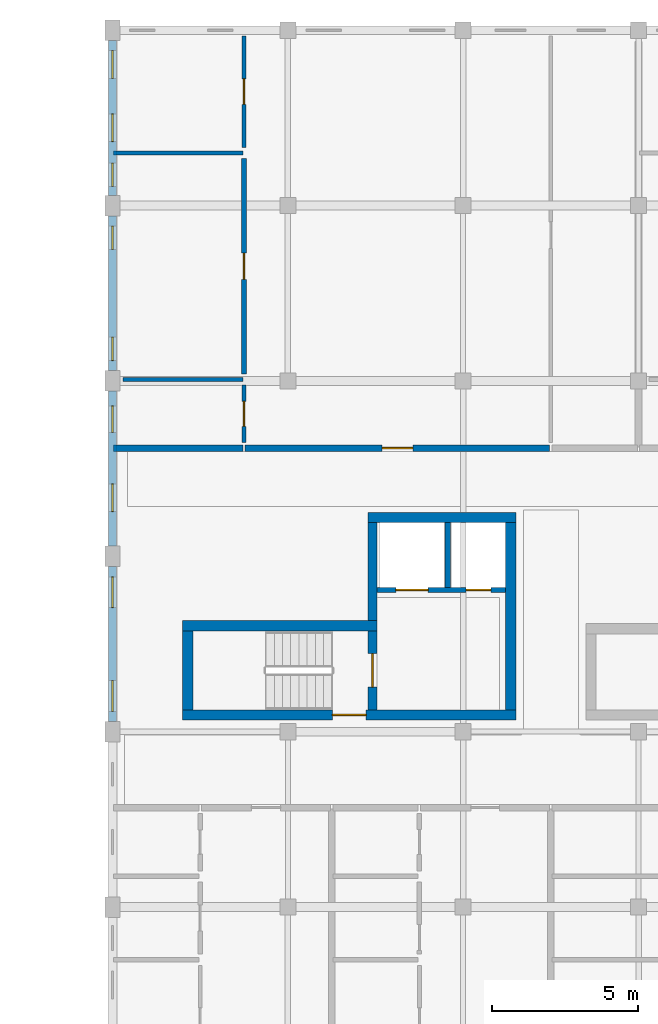
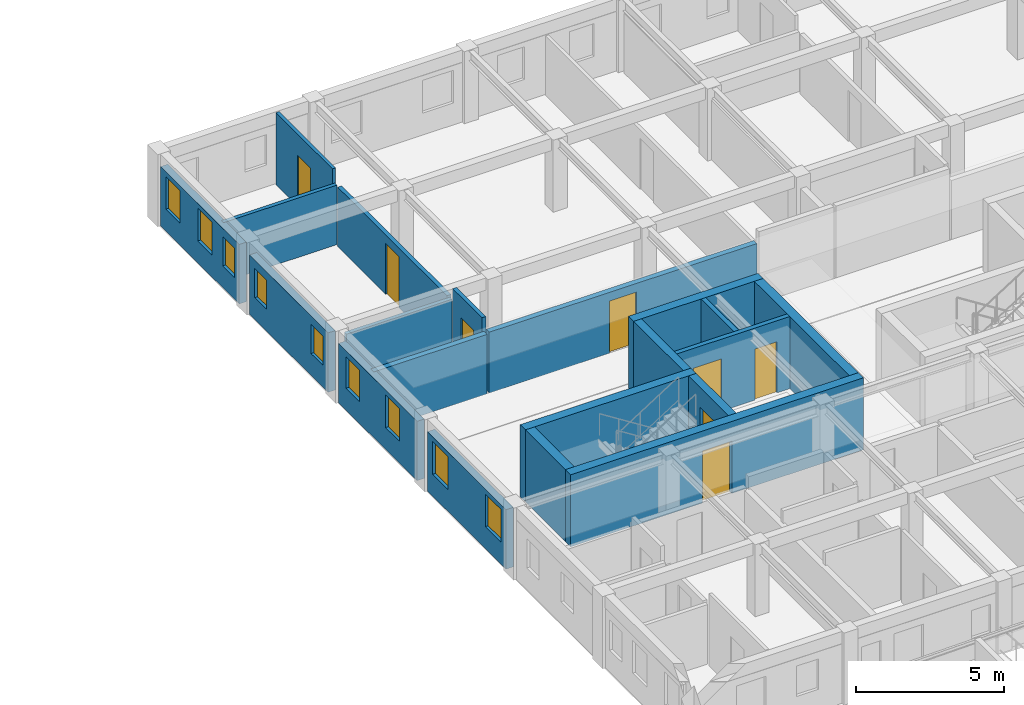
# One storey, part 69 of 101: 20 walls, 9 windows, 8 doors, 17 openings.
"""IFC4 building model written with IfcOpenShell, lengths in metres."""

from ifc_helpers import new_model, si_unit, direction, frame, frame_2d, origin, place, context, subcontext, project, spatial, rectangle, extrude, material, layer, layer_set, type_object, element, fill, save


model = new_model("IFC4")

# Units and contexts
model_context = context("Model", 3, precision=1e-05, world=origin(), true_north=direction((0.0, 1.0)))
body_context = subcontext(model_context, "Body", "Model", "MODEL_VIEW")
ifc_project = project(units=[si_unit("LENGTHUNIT", "METRE"), si_unit("AREAUNIT", "SQUARE_METRE"), si_unit("VOLUMEUNIT", "CUBIC_METRE"), si_unit("PLANEANGLEUNIT", "RADIAN"), si_unit("MASSUNIT", "GRAM", prefix="KILO"), si_unit("POWERUNIT", "WATT"), si_unit("THERMODYNAMICTEMPERATUREUNIT", "KELVIN")], contexts=[model_context])

# Site, building, storey
site_placement = place(None, origin())
site = spatial("IfcSite", under=ifc_project, at=site_placement, CompositionType="ELEMENT")
building_placement = place(site_placement, origin())
building = spatial("IfcBuilding", under=site, at=building_placement, Name="Ruvembo Vaulted Housing Court", CompositionType="ELEMENT")
storey_placement = place(building_placement, frame((0.0, 0.0, 17.300048828125)))
storey = spatial("IfcBuildingStorey", under=building, at=storey_placement, Name="L05", CompositionType="ELEMENT", Elevation=17.300048828125)

# Wall, opening, door
ifc_material_1 = material(Name="Concrete C35/45", Category="concrete")
ifc_layer_1 = layer(ifc_material_1, 0.300048828125, Name="Concrete C35/45")
ifc_layer_set_1 = layer_set([ifc_layer_1], Name="Concrete C35/45")
wall_type_1 = type_object("IfcWallType", Name="WL-CORE-300", PredefinedType="SHEAR", material=ifc_layer_set_1)
wall_1_placement = place(storey_placement, frame((56.89990234375, 90.75, 0.0), z_axis=(0.0, 0.0, 1.0), x_axis=(0.0, 1.0, 0.0)))
wall_1 = element("IfcWall", 1, at=wall_1_placement, inside=storey, type_object=wall_type_1, Name="Core B1 L05 Stair-Lobby Shear Wall", PredefinedType="SHEAR", context=body_context, shape_type="SweptSolid", body=[
    extrude(rectangle(XDim=2.699951171875, YDim=0.300048828125, at=frame_2d((1.35009765625, 0.0))), origin(), (0.0, 0.0, 1.0), 2.96484375),
])
opening_1_placement = place(wall_1_placement, frame((0.77490234375, 0.0, 0.0)))
opening_1 = element("IfcOpeningElement", 2, at=opening_1_placement, cuts=wall_1, Name="Opening SD1", PredefinedType="OPENING", context=body_context, shape_type="SweptSolid", body=[
    extrude(rectangle(XDim=1.14990234375, YDim=2.14990234375, at=frame_2d((0.574951171875, 1.074951171875))), frame((0.0, 0.159912109375, 0.0), z_axis=(0.0, -1.0, 0.0), x_axis=(1.0, 0.0, 0.0)), (0.0, 0.0, 1.0), 0.320068359375),
])
ifc_material_2 = material(Name="Galvanised Painted Steel", Category="steel")
door_type_1 = type_object("IfcDoorType", Name="DR-STAIR-1150x2150", OperationType="NOTDEFINED", PredefinedType="DOOR", material=ifc_material_2)
door_1_placement = place(opening_1_placement, origin())
door_1 = element("IfcDoor", 3, at=door_1_placement, inside=storey, type_object=door_type_1, Name="Stair ST-B1 L05 Fire Door", OperationType="SINGLE_SWING_RIGHT", OverallHeight=2.14990234375, OverallWidth=1.14990234375, PredefinedType="DOOR", context=body_context, shape_type="SweptSolid", body=[
    extrude(rectangle(XDim=1.14990234375, YDim=2.14990234375, at=frame_2d((0.574951171875, 1.074951171875))), frame((0.0, 0.02490234375, 0.0), z_axis=(0.0, -1.0, 0.0), x_axis=(1.0, 0.0, 0.0)), (0.0, 0.0, 1.0), 0.050048828125),
])
fill(opening_1, door_1)

# Wall
wall_2_placement = place(storey_placement, frame((56.89990234375, 93.800048828125, 0.0), z_axis=(0.0, 0.0, 1.0), x_axis=(0.0, 1.0, 0.0)))
element("IfcWall", 4, at=wall_2_placement, inside=storey, type_object=wall_type_1, Name="Core B1 L05 Upper West Shear Wall", PredefinedType="SHEAR", context=body_context, shape_type="SweptSolid", body=[
    extrude(rectangle(XDim=3.349853515625, YDim=0.300048828125, at=frame_2d((1.6748046875, 0.0))), origin(), (0.0, 0.0, 1.0), 2.96484375),
])

# Wall, opening, door
ifc_layer_2 = layer(ifc_material_1, 0.35009765625, Name="Concrete C35/45")
ifc_layer_set_2 = layer_set([ifc_layer_2], Name="Concrete C35/45")
wall_type_2 = type_object("IfcWallType", Name="WL-CORE-350", PredefinedType="SHEAR", material=ifc_layer_set_2)
wall_3_placement = place(storey_placement, frame((50.39990234375, 90.574951171875, 0.0), z_axis=(0.0, 0.0, 1.0), x_axis=(1.0, 0.0, 0.0)))
wall_3 = element("IfcWall", 5, at=wall_3_placement, inside=storey, type_object=wall_type_2, Name="Core B1 L05 South Shear Wall", PredefinedType="SHEAR", context=body_context, shape_type="SweptSolid", body=[
    extrude(rectangle(XDim=11.400146484375, YDim=0.35009765625, at=frame_2d((5.7001953125, 0.0))), origin(), (0.0, 0.0, 1.0), 2.96484375),
])
opening_2_placement = place(wall_3_placement, frame((5.125, 0.0, 0.0)))
opening_2 = element("IfcOpeningElement", 6, at=opening_2_placement, cuts=wall_3, Name="Opening LD0", PredefinedType="OPENING", context=body_context, shape_type="SweptSolid", body=[
    extrude(rectangle(XDim=1.14990234375, YDim=2.14990234375, at=frame_2d((0.574951171875, 1.074951171875))), frame((0.0, 0.18505859375, 0.0), z_axis=(0.0, -1.0, 0.0), x_axis=(1.0, 0.0, 0.0)), (0.0, 0.0, 1.0), 0.3701171875),
])
door_type_2 = type_object("IfcDoorType", Name="DR-LOB-1150x2150", OperationType="NOTDEFINED", PredefinedType="DOOR", material=ifc_material_2)
door_2_placement = place(opening_2_placement, origin())
door_2 = element("IfcDoor", 7, at=door_2_placement, inside=storey, type_object=door_type_2, Name="Core B1 L05 Lobby Fire Door", OperationType="SINGLE_SWING_LEFT", OverallHeight=2.14990234375, OverallWidth=1.14990234375, PredefinedType="DOOR", context=body_context, shape_type="SweptSolid", body=[
    extrude(rectangle(XDim=1.14990234375, YDim=2.14990234375, at=frame_2d((0.574951171875, 1.074951171875))), frame((0.0, 0.02490234375, 0.0), z_axis=(0.0, -1.0, 0.0), x_axis=(1.0, 0.0, 0.0)), (0.0, 0.0, 1.0), 0.050048828125),
])
fill(opening_2, door_2)

# Walls
wall_4_placement = place(storey_placement, frame((57.050048828125, 93.625, 0.0), z_axis=(0.0, 0.0, 1.0), x_axis=(-1.0, 0.0, 0.0)))
element("IfcWall", 8, at=wall_4_placement, inside=storey, type_object=wall_type_2, Name="Core B1 L05 Stair North Shear Wall", PredefinedType="SHEAR", context=body_context, shape_type="SweptSolid", body=[
    extrude(rectangle(XDim=6.650146484375, YDim=0.35009765625, at=frame_2d((3.3251953125, 0.0))), origin(), (0.0, 0.0, 1.0), 2.96484375),
])
wall_5_placement = place(storey_placement, frame((50.574951171875, 93.449951171875, 0.0), z_axis=(0.0, 0.0, 1.0), x_axis=(0.0, -1.0, 0.0)))
element("IfcWall", 9, at=wall_5_placement, inside=storey, type_object=wall_type_2, Name="Core B1 L05 Stair West Shear Wall", PredefinedType="SHEAR", context=body_context, shape_type="SweptSolid", body=[
    extrude(rectangle(XDim=2.699951171875, YDim=0.35009765625, at=frame_2d((1.35009765625, 0.0))), origin(), (0.0, 0.0, 1.0), 2.96484375),
])
wall_6_placement = place(storey_placement, frame((61.800048828125, 97.324951171875, 0.0), z_axis=(0.0, 0.0, 1.0), x_axis=(-1.0, 0.0, 0.0)))
element("IfcWall", 10, at=wall_6_placement, inside=storey, type_object=wall_type_2, Name="Core B1 L05 North Shear Wall", PredefinedType="SHEAR", context=body_context, shape_type="SweptSolid", body=[
    extrude(rectangle(XDim=5.050048828125, YDim=0.35009765625, at=frame_2d((2.52490234375, 0.0))), origin(), (0.0, 0.0, 1.0), 2.96484375),
])
wall_7_placement = place(storey_placement, frame((61.625, 90.75, 0.0), z_axis=(0.0, 0.0, 1.0), x_axis=(0.0, 1.0, 0.0)))
element("IfcWall", 11, at=wall_7_placement, inside=storey, type_object=wall_type_2, Name="Core B1 L05 East Shear Wall", PredefinedType="SHEAR", context=body_context, shape_type="SweptSolid", body=[
    extrude(rectangle(XDim=6.39990234375, YDim=0.35009765625, at=frame_2d((3.199951171875, 0.0))), origin(), (0.0, 0.0, 1.0), 2.96484375),
])
ifc_material_3 = material(Name="Concrete Blockwork 210", Category="masonry")
ifc_layer_3 = layer(ifc_material_3, 0.2099609375, Name="Concrete Blockwork 210")
ifc_layer_set_3 = layer_set([ifc_layer_3], Name="Concrete Blockwork 210")
wall_type_3 = type_object("IfcWallType", Name="WL-CORR-210", PredefinedType="SOLIDWALL", material=ifc_layer_set_3)
wall_8_placement = place(storey_placement, frame((48.0400390625, 99.699951171875, 0.0), z_axis=(0.0, 0.0, 1.0), x_axis=(1.0, 0.0, 0.0)))
element("IfcWall", 12, at=wall_8_placement, inside=storey, type_object=wall_type_3, Name="L05 Flat B-L05-N1 Corridor Wall WL-INT-L05-01466", PredefinedType="SOLIDWALL", context=body_context, shape_type="SweptSolid", body=[
    extrude(rectangle(XDim=4.419921875, YDim=0.2099609375, at=frame_2d((2.2099609375, 0.0))), origin(), (0.0, 0.0, 1.0), 2.447021484375),
])

# Wall, opening, door
wall_9_placement = place(storey_placement, frame((52.5400390625, 99.699951171875, 0.0), z_axis=(0.0, 0.0, 1.0), x_axis=(1.0, 0.0, 0.0)))
wall_9 = element("IfcWall", 13, at=wall_9_placement, inside=storey, type_object=wall_type_3, Name="L05 Flat B-L05-N1 Entrance WL-INT-L05-01467", PredefinedType="SOLIDWALL", context=body_context, shape_type="SweptSolid", body=[
    extrude(rectangle(XDim=10.419921875, YDim=0.2099609375, at=frame_2d((5.2099609375, 0.0))), origin(), (0.0, 0.0, 1.0), 2.508056640625),
])
opening_3_placement = place(wall_9_placement, frame((4.68505859375, 0.0, 0.0)))
opening_3 = element("IfcOpeningElement", 14, at=opening_3_placement, cuts=wall_9, Name="Opening FD3", PredefinedType="OPENING", context=body_context, shape_type="SweptSolid", body=[
    extrude(rectangle(XDim=1.050048828125, YDim=2.14990234375, at=frame_2d((0.52490234375, 1.074951171875))), frame((0.0, 0.114990234375, 0.0), z_axis=(0.0, -1.0, 0.0), x_axis=(1.0, 0.0, 0.0)), (0.0, 0.0, 1.0), 0.22998046875),
])
ifc_material_4 = material(Name="FSC Hardwood and Engineered Timber", Category="wood")
door_type_3 = type_object("IfcDoorType", Name="DR-FLAT-1050x2150", OperationType="NOTDEFINED", PredefinedType="DOOR", material=ifc_material_4)
door_3_placement = place(opening_3_placement, origin())
door_3 = element("IfcDoor", 15, at=door_3_placement, inside=storey, type_object=door_type_3, Name="L05 Flat B-L05-N1 Entrance Door DR-INT-L05-00824", OperationType="SINGLE_SWING_RIGHT", OverallHeight=2.14990234375, OverallWidth=1.050048828125, PredefinedType="DOOR", context=body_context, shape_type="SweptSolid", body=[
    extrude(rectangle(XDim=1.050048828125, YDim=2.14990234375, at=frame_2d((0.52490234375, 1.074951171875))), frame((0.0, 0.02490234375, 0.0), z_axis=(0.0, -1.0, 0.0), x_axis=(1.0, 0.0, 0.0)), (0.0, 0.0, 1.0), 0.050048828125),
])
fill(opening_3, door_3)

# Wall, openings, windows
ifc_material_5 = material(Name="Rendered Masonry 285", Category="masonry")
ifc_layer_4 = layer(ifc_material_5, 0.284912109375, Name="Rendered Masonry 285")
ifc_layer_set_4 = layer_set([ifc_layer_4], Name="Rendered Masonry 285")
wall_type_4 = type_object("IfcWallType", Name="WL-EXT-285", PredefinedType="STANDARD", material=ifc_layer_set_4)
wall_10_placement = place(storey_placement, frame((48.0, 113.64990234375, 0.0), z_axis=(0.0, 0.0, 1.0), x_axis=(0.0, -1.0, 0.0)))
wall_10 = element("IfcWall", 16, at=wall_10_placement, inside=storey, type_object=wall_type_4, Name="Block B L05 Exterior Wall WEST #1", PredefinedType="STANDARD", context=body_context, shape_type="SweptSolid", body=[
    extrude(rectangle(XDim=5.2998046875, YDim=0.284912109375, at=frame_2d((2.64990234375, 0.0))), origin(), (0.0, 0.0, 1.0), 2.447021484375),
])
opening_4_placement = place(wall_10_placement, frame((0.35009765625, 0.0, 0.89990234375)))
opening_4 = element("IfcOpeningElement", 17, at=opening_4_placement, cuts=wall_10, Name="Opening W07", PredefinedType="OPENING", context=body_context, shape_type="SweptSolid", body=[
    extrude(rectangle(XDim=0.949951171875, YDim=1.35009765625, at=frame_2d((0.47509765625, 0.675048828125))), frame((0.0, 0.15234375, 0.0), z_axis=(0.0, -1.0, 0.0), x_axis=(1.0, 0.0, 0.0)), (0.0, 0.0, 1.0), 0.304931640625),
])
opening_5_placement = place(wall_10_placement, frame((2.510009765625, 0.0, 0.89990234375)))
opening_5 = element("IfcOpeningElement", 18, at=opening_5_placement, cuts=wall_10, Name="Opening W07", PredefinedType="OPENING", context=body_context, shape_type="SweptSolid", body=[
    extrude(rectangle(XDim=0.949951171875, YDim=1.35009765625, at=frame_2d((0.47509765625, 0.675048828125))), frame((0.0, 0.15234375, 0.0), z_axis=(0.0, -1.0, 0.0), x_axis=(1.0, 0.0, 0.0)), (0.0, 0.0, 1.0), 0.304931640625),
])
opening_6_placement = place(wall_10_placement, frame((4.195068359375, 0.0, 0.89990234375)))
opening_6 = element("IfcOpeningElement", 19, at=opening_6_placement, cuts=wall_10, Name="Opening W02", PredefinedType="OPENING", context=body_context, shape_type="SweptSolid", body=[
    extrude(rectangle(XDim=0.800048828125, YDim=1.199951171875, at=frame_2d((0.39990234375, 0.60009765625))), frame((0.0, 0.15234375, 0.0), z_axis=(0.0, -1.0, 0.0), x_axis=(1.0, 0.0, 0.0)), (0.0, 0.0, 1.0), 0.304931640625),
])
ifc_material_6 = material(Name="Double Solar-Control Glazing in Aluminium Frame", Category="aluminium")
window_type_1 = type_object("IfcWindowType", Name="WIN-0800x1200", PartitioningType="SINGLE_PANEL", PredefinedType="WINDOW", material=ifc_material_6)
window_1_placement = place(opening_6_placement, origin())
window_1 = element("IfcWindow", 20, at=window_1_placement, inside=storey, type_object=window_type_1, Name="Block B L05 Window #845", OverallHeight=1.199951171875, OverallWidth=0.800048828125, PartitioningType="SINGLE_PANEL", PredefinedType="WINDOW", context=body_context, shape_type="SweptSolid", body=[
    extrude(rectangle(XDim=0.800048828125, YDim=1.199951171875, at=frame_2d((0.39990234375, 0.60009765625))), frame((0.0, 0.030029296875, 0.0), z_axis=(0.0, -1.0, 0.0), x_axis=(1.0, 0.0, 0.0)), (0.0, 0.0, 1.0), 0.06005859375),
])
fill(opening_6, window_1)
window_type_2 = type_object("IfcWindowType", Name="WIN-0950x1350", PartitioningType="SINGLE_PANEL", PredefinedType="WINDOW", material=ifc_material_6)
window_2_placement = place(opening_4_placement, origin())
window_2 = element("IfcWindow", 21, at=window_2_placement, inside=storey, type_object=window_type_2, Name="Block B L05 Window #843", OverallHeight=1.35009765625, OverallWidth=0.949951171875, PartitioningType="SINGLE_PANEL", PredefinedType="WINDOW", context=body_context, shape_type="SweptSolid", body=[
    extrude(rectangle(XDim=0.949951171875, YDim=1.35009765625, at=frame_2d((0.47509765625, 0.675048828125))), frame((0.0, 0.030029296875, 0.0), z_axis=(0.0, -1.0, 0.0), x_axis=(1.0, 0.0, 0.0)), (0.0, 0.0, 1.0), 0.06005859375),
])
fill(opening_4, window_2)
window_3_placement = place(opening_5_placement, origin())
window_3 = element("IfcWindow", 22, at=window_3_placement, inside=storey, type_object=window_type_2, Name="Block B L05 Window #844", OverallHeight=1.35009765625, OverallWidth=0.949951171875, PartitioningType="SINGLE_PANEL", PredefinedType="WINDOW", context=body_context, shape_type="SweptSolid", body=[
    extrude(rectangle(XDim=0.949951171875, YDim=1.35009765625, at=frame_2d((0.47509765625, 0.675048828125))), frame((0.0, 0.030029296875, 0.0), z_axis=(0.0, -1.0, 0.0), x_axis=(1.0, 0.0, 0.0)), (0.0, 0.0, 1.0), 0.06005859375),
])
fill(opening_5, window_3)

wall_11_placement = place(storey_placement, frame((48.0, 107.64990234375, 0.0), z_axis=(0.0, 0.0, 1.0), x_axis=(0.0, -1.0, 0.0)))
wall_11 = element("IfcWall", 23, at=wall_11_placement, inside=storey, type_object=wall_type_4, Name="Block B L05 Exterior Wall WEST #2", PredefinedType="STANDARD", context=body_context, shape_type="SweptSolid", body=[
    extrude(rectangle(XDim=5.2998046875, YDim=0.284912109375, at=frame_2d((2.64990234375, 0.0))), origin(), (0.0, 0.0, 1.0), 2.447021484375),
])
opening_7_placement = place(wall_11_placement, frame((0.35009765625, 0.0, 0.89990234375)))
opening_7 = element("IfcOpeningElement", 24, at=opening_7_placement, cuts=wall_11, Name="Opening W02", PredefinedType="OPENING", context=body_context, shape_type="SweptSolid", body=[
    extrude(rectangle(XDim=0.800048828125, YDim=1.199951171875, at=frame_2d((0.39990234375, 0.60009765625))), frame((0.0, 0.15234375, 0.0), z_axis=(0.0, -1.0, 0.0), x_axis=(1.0, 0.0, 0.0)), (0.0, 0.0, 1.0), 0.304931640625),
])
opening_8_placement = place(wall_11_placement, frame((4.14990234375, 0.0, 0.89990234375)))
opening_8 = element("IfcOpeningElement", 25, at=opening_8_placement, cuts=wall_11, Name="Opening W02", PredefinedType="OPENING", context=body_context, shape_type="SweptSolid", body=[
    extrude(rectangle(XDim=0.800048828125, YDim=1.199951171875, at=frame_2d((0.39990234375, 0.60009765625))), frame((0.0, 0.15234375, 0.0), z_axis=(0.0, -1.0, 0.0), x_axis=(1.0, 0.0, 0.0)), (0.0, 0.0, 1.0), 0.304931640625),
])
window_4_placement = place(opening_7_placement, origin())
window_4 = element("IfcWindow", 26, at=window_4_placement, inside=storey, type_object=window_type_1, Name="Block B L05 Window #846", OverallHeight=1.199951171875, OverallWidth=0.800048828125, PartitioningType="SINGLE_PANEL", PredefinedType="WINDOW", context=body_context, shape_type="SweptSolid", body=[
    extrude(rectangle(XDim=0.800048828125, YDim=1.199951171875, at=frame_2d((0.39990234375, 0.60009765625))), frame((0.0, 0.030029296875, 0.0), z_axis=(0.0, -1.0, 0.0), x_axis=(1.0, 0.0, 0.0)), (0.0, 0.0, 1.0), 0.06005859375),
])
fill(opening_7, window_4)
window_5_placement = place(opening_8_placement, origin())
window_5 = element("IfcWindow", 27, at=window_5_placement, inside=storey, type_object=window_type_1, Name="Block B L05 Window #847", OverallHeight=1.199951171875, OverallWidth=0.800048828125, PartitioningType="SINGLE_PANEL", PredefinedType="WINDOW", context=body_context, shape_type="SweptSolid", body=[
    extrude(rectangle(XDim=0.800048828125, YDim=1.199951171875, at=frame_2d((0.39990234375, 0.60009765625))), frame((0.0, 0.030029296875, 0.0), z_axis=(0.0, -1.0, 0.0), x_axis=(1.0, 0.0, 0.0)), (0.0, 0.0, 1.0), 0.06005859375),
])
fill(opening_8, window_5)

wall_12_placement = place(storey_placement, frame((48.0, 101.64990234375, 0.0), z_axis=(0.0, 0.0, 1.0), x_axis=(0.0, -1.0, 0.0)))
wall_12 = element("IfcWall", 28, at=wall_12_placement, inside=storey, type_object=wall_type_4, Name="Block B L05 Exterior Wall WEST #3", PredefinedType="STANDARD", context=body_context, shape_type="SweptSolid", body=[
    extrude(rectangle(XDim=5.2998046875, YDim=0.284912109375, at=frame_2d((2.64990234375, 0.0))), origin(), (0.0, 0.0, 1.0), 2.447021484375),
])
opening_9_placement = place(wall_12_placement, frame((0.5048828125, 0.0, 0.89990234375)))
opening_9 = element("IfcOpeningElement", 29, at=opening_9_placement, cuts=wall_12, Name="Opening W04", PredefinedType="OPENING", context=body_context, shape_type="SweptSolid", body=[
    extrude(rectangle(XDim=0.89990234375, YDim=1.300048828125, at=frame_2d((0.449951171875, 0.64990234375))), frame((0.0, 0.15234375, 0.0), z_axis=(0.0, -1.0, 0.0), x_axis=(1.0, 0.0, 0.0)), (0.0, 0.0, 1.0), 0.304931640625),
])
opening_10_placement = place(wall_12_placement, frame((3.169921875, 0.0, 0.89990234375)))
opening_10 = element("IfcOpeningElement", 30, at=opening_10_placement, cuts=wall_12, Name="Opening W07", PredefinedType="OPENING", context=body_context, shape_type="SweptSolid", body=[
    extrude(rectangle(XDim=0.949951171875, YDim=1.35009765625, at=frame_2d((0.47509765625, 0.675048828125))), frame((0.0, 0.15234375, 0.0), z_axis=(0.0, -1.0, 0.0), x_axis=(1.0, 0.0, 0.0)), (0.0, 0.0, 1.0), 0.304931640625),
])
window_type_3 = type_object("IfcWindowType", Name="WIN-0900x1300", PartitioningType="SINGLE_PANEL", PredefinedType="WINDOW", material=ifc_material_6)
window_6_placement = place(opening_9_placement, origin())
window_6 = element("IfcWindow", 31, at=window_6_placement, inside=storey, type_object=window_type_3, Name="Block B L05 Window #848", OverallHeight=1.300048828125, OverallWidth=0.89990234375, PartitioningType="SINGLE_PANEL", PredefinedType="WINDOW", context=body_context, shape_type="SweptSolid", body=[
    extrude(rectangle(XDim=0.89990234375, YDim=1.300048828125, at=frame_2d((0.449951171875, 0.64990234375))), frame((0.0, 0.030029296875, 0.0), z_axis=(0.0, -1.0, 0.0), x_axis=(1.0, 0.0, 0.0)), (0.0, 0.0, 1.0), 0.06005859375),
])
fill(opening_9, window_6)
window_7_placement = place(opening_10_placement, origin())
window_7 = element("IfcWindow", 32, at=window_7_placement, inside=storey, type_object=window_type_2, Name="Block B L05 Window #849", OverallHeight=1.35009765625, OverallWidth=0.949951171875, PartitioningType="SINGLE_PANEL", PredefinedType="WINDOW", context=body_context, shape_type="SweptSolid", body=[
    extrude(rectangle(XDim=0.949951171875, YDim=1.35009765625, at=frame_2d((0.47509765625, 0.675048828125))), frame((0.0, 0.030029296875, 0.0), z_axis=(0.0, -1.0, 0.0), x_axis=(1.0, 0.0, 0.0)), (0.0, 0.0, 1.0), 0.06005859375),
])
fill(opening_10, window_7)

wall_13_placement = place(storey_placement, frame((48.0, 95.64990234375, 0.0), z_axis=(0.0, 0.0, 1.0), x_axis=(0.0, -1.0, 0.0)))
wall_13 = element("IfcWall", 33, at=wall_13_placement, inside=storey, type_object=wall_type_4, Name="Block B L05 Exterior Wall WEST #4", PredefinedType="STANDARD", context=body_context, shape_type="SweptSolid", body=[
    extrude(rectangle(XDim=5.2998046875, YDim=0.284912109375, at=frame_2d((2.64990234375, 0.0))), origin(), (0.0, 0.0, 1.0), 2.447021484375),
])
opening_11_placement = place(wall_13_placement, frame((0.35009765625, 0.0, 0.89990234375)))
opening_11 = element("IfcOpeningElement", 34, at=opening_11_placement, cuts=wall_13, Name="Opening W09", PredefinedType="OPENING", context=body_context, shape_type="SweptSolid", body=[
    extrude(rectangle(XDim=1.050048828125, YDim=1.35009765625, at=frame_2d((0.52490234375, 0.675048828125))), frame((0.0, 0.15234375, 0.0), z_axis=(0.0, -1.0, 0.0), x_axis=(1.0, 0.0, 0.0)), (0.0, 0.0, 1.0), 0.304931640625),
])
opening_12_placement = place(wall_13_placement, frame((3.89990234375, 0.0, 0.89990234375)))
opening_12 = element("IfcOpeningElement", 35, at=opening_12_placement, cuts=wall_13, Name="Opening W09", PredefinedType="OPENING", context=body_context, shape_type="SweptSolid", body=[
    extrude(rectangle(XDim=1.050048828125, YDim=1.35009765625, at=frame_2d((0.52490234375, 0.675048828125))), frame((0.0, 0.15234375, 0.0), z_axis=(0.0, -1.0, 0.0), x_axis=(1.0, 0.0, 0.0)), (0.0, 0.0, 1.0), 0.304931640625),
])
window_type_4 = type_object("IfcWindowType", Name="WIN-1050x1350", PartitioningType="SINGLE_PANEL", PredefinedType="WINDOW", material=ifc_material_6)
window_8_placement = place(opening_11_placement, origin())
window_8 = element("IfcWindow", 36, at=window_8_placement, inside=storey, type_object=window_type_4, Name="Block B L05 Window #850", OverallHeight=1.35009765625, OverallWidth=1.050048828125, PartitioningType="SINGLE_PANEL", PredefinedType="WINDOW", context=body_context, shape_type="SweptSolid", body=[
    extrude(rectangle(XDim=1.050048828125, YDim=1.35009765625, at=frame_2d((0.52490234375, 0.675048828125))), frame((0.0, 0.030029296875, 0.0), z_axis=(0.0, -1.0, 0.0), x_axis=(1.0, 0.0, 0.0)), (0.0, 0.0, 1.0), 0.06005859375),
])
fill(opening_11, window_8)
window_9_placement = place(opening_12_placement, origin())
window_9 = element("IfcWindow", 37, at=window_9_placement, inside=storey, type_object=window_type_4, Name="Block B L05 Window #851", OverallHeight=1.35009765625, OverallWidth=1.050048828125, PartitioningType="SINGLE_PANEL", PredefinedType="WINDOW", context=body_context, shape_type="SweptSolid", body=[
    extrude(rectangle(XDim=1.050048828125, YDim=1.35009765625, at=frame_2d((0.52490234375, 0.675048828125))), frame((0.0, 0.030029296875, 0.0), z_axis=(0.0, -1.0, 0.0), x_axis=(1.0, 0.0, 0.0)), (0.0, 0.0, 1.0), 0.06005859375),
])
fill(opening_12, window_9)

# Wall, opening, door
ifc_material_7 = material(Name="Plasterboard Stud Partition 125", Category="gypsum")
ifc_layer_5 = layer(ifc_material_7, 0.125, Name="Plasterboard Stud Partition 125")
ifc_layer_set_5 = layer_set([ifc_layer_5], Name="Plasterboard Stud Partition 125")
wall_type_5 = type_object("IfcWallType", Name="WL-PART-125", PredefinedType="PARTITIONING", material=ifc_layer_set_5)
wall_14_placement = place(storey_placement, frame((52.5, 109.989990234375, 0.0), z_axis=(0.0, 0.0, 1.0), x_axis=(0.0, 1.0, 0.0)))
wall_14 = element("IfcWall", 38, at=wall_14_placement, inside=storey, type_object=wall_type_5, Name="L05 Flat B-L05-N1 Bedroom 1 WL-INT-L05-01468", PredefinedType="PARTITIONING", context=body_context, shape_type="SweptSolid", body=[
    extrude(rectangle(XDim=3.820068359375, YDim=0.125, at=frame_2d((1.91015625, 0.0))), origin(), (0.0, 0.0, 1.0), 2.96484375),
])
opening_13_placement = place(wall_14_placement, frame((1.469970703125, 0.0, 0.0)))
opening_13 = element("IfcOpeningElement", 39, at=opening_13_placement, cuts=wall_14, Name="Opening ID3", PredefinedType="OPENING", context=body_context, shape_type="SweptSolid", body=[
    extrude(rectangle(XDim=0.8798828125, YDim=2.10009765625, at=frame_2d((0.43994140625, 1.050048828125))), frame((0.0, 0.072509765625, 0.0), z_axis=(0.0, -1.0, 0.0), x_axis=(1.0, 0.0, 0.0)), (0.0, 0.0, 1.0), 0.14501953125),
])
door_type_4 = type_object("IfcDoorType", Name="DR-ROOM-0880x2100", OperationType="NOTDEFINED", PredefinedType="DOOR", material=ifc_material_4)
door_4_placement = place(opening_13_placement, origin())
door_4 = element("IfcDoor", 40, at=door_4_placement, inside=storey, type_object=door_type_4, Name="L05 Flat B-L05-N1 Bedroom 1 Door DR-INT-L05-00825", OperationType="SINGLE_SWING_LEFT", OverallHeight=2.10009765625, OverallWidth=0.8798828125, PredefinedType="DOOR", context=body_context, shape_type="SweptSolid", body=[
    extrude(rectangle(XDim=0.8798828125, YDim=2.10009765625, at=frame_2d((0.43994140625, 1.050048828125))), frame((0.0, 0.02490234375, 0.0), z_axis=(0.0, -1.0, 0.0), x_axis=(1.0, 0.0, 0.0)), (0.0, 0.0, 1.0), 0.050048828125),
])
fill(opening_13, door_4)

ifc_material_8 = material(Name="Moisture-Resistant Wet Partition 150", Category="gypsum")
ifc_layer_6 = layer(ifc_material_8, 0.14990234375, Name="Moisture-Resistant Wet Partition 150")
ifc_layer_set_6 = layer_set([ifc_layer_6], Name="Moisture-Resistant Wet Partition 150")
wall_type_6 = type_object("IfcWallType", Name="WL-PART-150", PredefinedType="PARTITIONING", material=ifc_layer_set_6)
wall_15_placement = place(storey_placement, frame((52.5, 99.889892578125, 0.0), z_axis=(0.0, 0.0, 1.0), x_axis=(0.0, 1.0, 0.0)))
wall_15 = element("IfcWall", 41, at=wall_15_placement, inside=storey, type_object=wall_type_6, Name="L05 Flat B-L05-N1 Bathroom WL-INT-L05-01470", PredefinedType="PARTITIONING", context=body_context, shape_type="SweptSolid", body=[
    extrude(rectangle(XDim=1.97021484375, YDim=0.14990234375, at=frame_2d((0.985107421875, 0.0))), origin(), (0.0, 0.0, 1.0), 2.96484375),
])
opening_14_placement = place(wall_15_placement, frame((0.56005859375, 0.0, 0.0)))
opening_14 = element("IfcOpeningElement", 42, at=opening_14_placement, cuts=wall_15, Name="Opening ID2", PredefinedType="OPENING", context=body_context, shape_type="SweptSolid", body=[
    extrude(rectangle(XDim=0.85009765625, YDim=2.10009765625, at=frame_2d((0.425048828125, 1.050048828125))), frame((0.0, 0.0849609375, 0.0), z_axis=(0.0, -1.0, 0.0), x_axis=(1.0, 0.0, 0.0)), (0.0, 0.0, 1.0), 0.169921875),
])
door_type_5 = type_object("IfcDoorType", Name="DR-WET-0850x2100", OperationType="NOTDEFINED", PredefinedType="DOOR", material=ifc_material_4)
door_5_placement = place(opening_14_placement, origin())
door_5 = element("IfcDoor", 43, at=door_5_placement, inside=storey, type_object=door_type_5, Name="L05 Flat B-L05-N1 Bathroom Door DR-INT-L05-00827", OperationType="SINGLE_SWING_LEFT", OverallHeight=2.10009765625, OverallWidth=0.85009765625, PredefinedType="DOOR", context=body_context, shape_type="SweptSolid", body=[
    extrude(rectangle(XDim=0.85009765625, YDim=2.10009765625, at=frame_2d((0.425048828125, 1.050048828125))), frame((0.0, 0.02490234375, 0.0), z_axis=(0.0, -1.0, 0.0), x_axis=(1.0, 0.0, 0.0)), (0.0, 0.0, 1.0), 0.050048828125),
])
fill(opening_14, door_5)

# Walls
wall_16_placement = place(storey_placement, frame((48.0400390625, 109.800048828125, 0.0), z_axis=(0.0, 0.0, 1.0), x_axis=(1.0, 0.0, 0.0)))
element("IfcWall", 44, at=wall_16_placement, inside=storey, type_object=wall_type_6, Name="L05 Flat B-L05-N1 Wet Wall 1 WL-INT-L05-01471", PredefinedType="PARTITIONING", context=body_context, shape_type="SweptSolid", body=[
    extrude(rectangle(XDim=4.419921875, YDim=0.14990234375, at=frame_2d((2.2099609375, 0.0))), origin(), (0.0, 0.0, 1.0), 2.447021484375),
])
wall_17_placement = place(storey_placement, frame((48.360107421875, 102.050048828125, 0.0), z_axis=(0.0, 0.0, 1.0), x_axis=(1.0, 0.0, 0.0)))
element("IfcWall", 45, at=wall_17_placement, inside=storey, type_object=wall_type_6, Name="L05 Flat B-L05-N1 Wet Wall 2 WL-INT-L05-01472", PredefinedType="PARTITIONING", context=body_context, shape_type="SweptSolid", body=[
    extrude(rectangle(XDim=4.099853515625, YDim=0.14990234375, at=frame_2d((2.0498046875, 0.0))), origin(), (0.0, 0.0, 1.0), 2.447021484375),
])

# Wall, opening, door
ifc_material_9 = material(Name="Acoustic Service Chase Wall 160", Category="gypsum")
ifc_layer_7 = layer(ifc_material_9, 0.159912109375, Name="Acoustic Service Chase Wall 160")
ifc_layer_set_7 = layer_set([ifc_layer_7], Name="Acoustic Service Chase Wall 160")
wall_type_7 = type_object("IfcWallType", Name="WL-PLUMB-160", PredefinedType="PLUMBINGWALL", material=ifc_layer_set_7)
wall_18_placement = place(storey_placement, frame((52.5, 102.239990234375, 0.0), z_axis=(0.0, 0.0, 1.0), x_axis=(0.0, 1.0, 0.0)))
wall_18 = element("IfcWall", 46, at=wall_18_placement, inside=storey, type_object=wall_type_7, Name="L05 Flat B-L05-N1 Kitchen WL-INT-L05-01469", PredefinedType="PLUMBINGWALL", context=body_context, shape_type="SweptSolid", body=[
    extrude(rectangle(XDim=7.3701171875, YDim=0.159912109375, at=frame_2d((3.68505859375, 0.0))), origin(), (0.0, 0.0, 1.0), 2.447021484375),
])
opening_15_placement = place(wall_18_placement, frame((3.235107421875, 0.0, 0.0)))
opening_15 = element("IfcOpeningElement", 47, at=opening_15_placement, cuts=wall_18, Name="Opening ID1", PredefinedType="OPENING", context=body_context, shape_type="SweptSolid", body=[
    extrude(rectangle(XDim=0.89990234375, YDim=2.10009765625, at=frame_2d((0.449951171875, 1.050048828125))), frame((0.0, 0.08984375, 0.0), z_axis=(0.0, -1.0, 0.0), x_axis=(1.0, 0.0, 0.0)), (0.0, 0.0, 1.0), 0.179931640625),
])
door_type_6 = type_object("IfcDoorType", Name="DR-ROOM-0900x2100", OperationType="NOTDEFINED", PredefinedType="DOOR", material=ifc_material_4)
door_6_placement = place(opening_15_placement, origin())
door_6 = element("IfcDoor", 48, at=door_6_placement, inside=storey, type_object=door_type_6, Name="L05 Flat B-L05-N1 Kitchen Door DR-INT-L05-00826", OperationType="SINGLE_SWING_RIGHT", OverallHeight=2.10009765625, OverallWidth=0.89990234375, PredefinedType="DOOR", context=body_context, shape_type="SweptSolid", body=[
    extrude(rectangle(XDim=0.89990234375, YDim=2.10009765625, at=frame_2d((0.449951171875, 1.050048828125))), frame((0.0, 0.02490234375, 0.0), z_axis=(0.0, -1.0, 0.0), x_axis=(1.0, 0.0, 0.0)), (0.0, 0.0, 1.0), 0.050048828125),
])
fill(opening_15, door_6)

# Wall, openings, doors
ifc_material_10 = material(Name="Fire-Rated Masonry Shaft 180", Category="masonry")
ifc_layer_8 = layer(ifc_material_10, 0.179931640625, Name="Fire-Rated Masonry Shaft 180")
ifc_layer_set_8 = layer_set([ifc_layer_8], Name="Fire-Rated Masonry Shaft 180")
wall_type_8 = type_object("IfcWallType", Name="WL-SHAFT-180", PredefinedType="SOLIDWALL", material=ifc_layer_set_8)
wall_19_placement = place(storey_placement, frame((57.050048828125, 94.85009765625, 0.0), z_axis=(0.0, 0.0, 1.0), x_axis=(1.0, 0.0, 0.0)))
wall_19 = element("IfcWall", 49, at=wall_19_placement, inside=storey, type_object=wall_type_8, Name="Core B1 L05 Lift and Riser Front Wall", PredefinedType="SOLIDWALL", context=body_context, shape_type="SweptSolid", body=[
    extrude(rectangle(XDim=4.39990234375, YDim=0.179931640625, at=frame_2d((2.199951171875, 0.0))), origin(), (0.0, 0.0, 1.0), 2.96484375),
])
opening_16_placement = place(wall_19_placement, frame((0.64990234375, 0.0, 0.0)))
opening_16 = element("IfcOpeningElement", 50, at=opening_16_placement, cuts=wall_19, Name="Opening LD-LP-B1-L05", PredefinedType="OPENING", context=body_context, shape_type="SweptSolid", body=[
    extrude(rectangle(XDim=1.10009765625, YDim=2.14990234375, at=frame_2d((0.550048828125, 1.074951171875))), frame((0.0, 0.099853515625, 0.0), z_axis=(0.0, -1.0, 0.0), x_axis=(1.0, 0.0, 0.0)), (0.0, 0.0, 1.0), 0.199951171875),
])
opening_17_placement = place(wall_19_placement, frame((3.050048828125, 0.0, 0.0)))
opening_17 = element("IfcOpeningElement", 51, at=opening_17_placement, cuts=wall_19, Name="Opening RD1", PredefinedType="OPENING", context=body_context, shape_type="SweptSolid", body=[
    extrude(rectangle(XDim=0.85009765625, YDim=2.10009765625, at=frame_2d((0.425048828125, 1.050048828125))), frame((0.0, 0.099853515625, 0.0), z_axis=(0.0, -1.0, 0.0), x_axis=(1.0, 0.0, 0.0)), (0.0, 0.0, 1.0), 0.199951171875),
])
ifc_material_11 = material(Name="Brushed Stainless Steel 304", Category="steel")
door_type_7 = type_object("IfcDoorType", Name="DR-LIFT-1100x2150", OperationType="NOTDEFINED", PredefinedType="DOOR", material=ifc_material_11)
door_7_placement = place(opening_16_placement, origin())
door_7 = element("IfcDoor", 52, at=door_7_placement, inside=storey, type_object=door_type_7, Name="Lift LP-B1 L05 Sliding Landing Door", OperationType="SLIDING_TO_LEFT", OverallHeight=2.14990234375, OverallWidth=1.10009765625, PredefinedType="DOOR", context=body_context, shape_type="SweptSolid", body=[
    extrude(rectangle(XDim=1.10009765625, YDim=2.14990234375, at=frame_2d((0.550048828125, 1.074951171875))), frame((0.0, 0.02490234375, 0.0), z_axis=(0.0, -1.0, 0.0), x_axis=(1.0, 0.0, 0.0)), (0.0, 0.0, 1.0), 0.050048828125),
])
fill(opening_16, door_7)
door_type_8 = type_object("IfcDoorType", Name="DR-RISER-0850x2100", OperationType="NOTDEFINED", PredefinedType="DOOR", material=ifc_material_2)
door_8_placement = place(opening_17_placement, frame((0.85009765625, 0.0, 0.0), z_axis=(0.0, 0.0, 1.0), x_axis=(-1.0, 0.0, 0.0)))
door_8 = element("IfcDoor", 53, at=door_8_placement, inside=storey, type_object=door_type_8, Name="Core B1 L05 Service Riser Door", OperationType="SINGLE_SWING_LEFT", OverallHeight=2.10009765625, OverallWidth=0.85009765625, PredefinedType="DOOR", context=body_context, shape_type="SweptSolid", body=[
    extrude(rectangle(XDim=0.85009765625, YDim=2.10009765625, at=frame_2d((0.425048828125, 1.050048828125))), frame((0.0, 0.02490234375, 0.0), z_axis=(0.0, -1.0, 0.0), x_axis=(1.0, 0.0, 0.0)), (0.0, 0.0, 1.0), 0.050048828125),
])
fill(opening_17, door_8)

# Wall
wall_20_placement = place(storey_placement, frame((59.469970703125, 94.93994140625, 0.0), z_axis=(0.0, 0.0, 1.0), x_axis=(0.0, 1.0, 0.0)))
element("IfcWall", 54, at=wall_20_placement, inside=storey, type_object=wall_type_8, Name="Core B1 L05 Shaft-Riser Divider Wall", PredefinedType="SOLIDWALL", context=body_context, shape_type="SweptSolid", body=[
    extrude(rectangle(XDim=2.2099609375, YDim=0.179931640625, at=frame_2d((1.10498046875, 0.0))), origin(), (0.0, 0.0, 1.0), 2.96484375),
])

save(model, "model.ifc")
